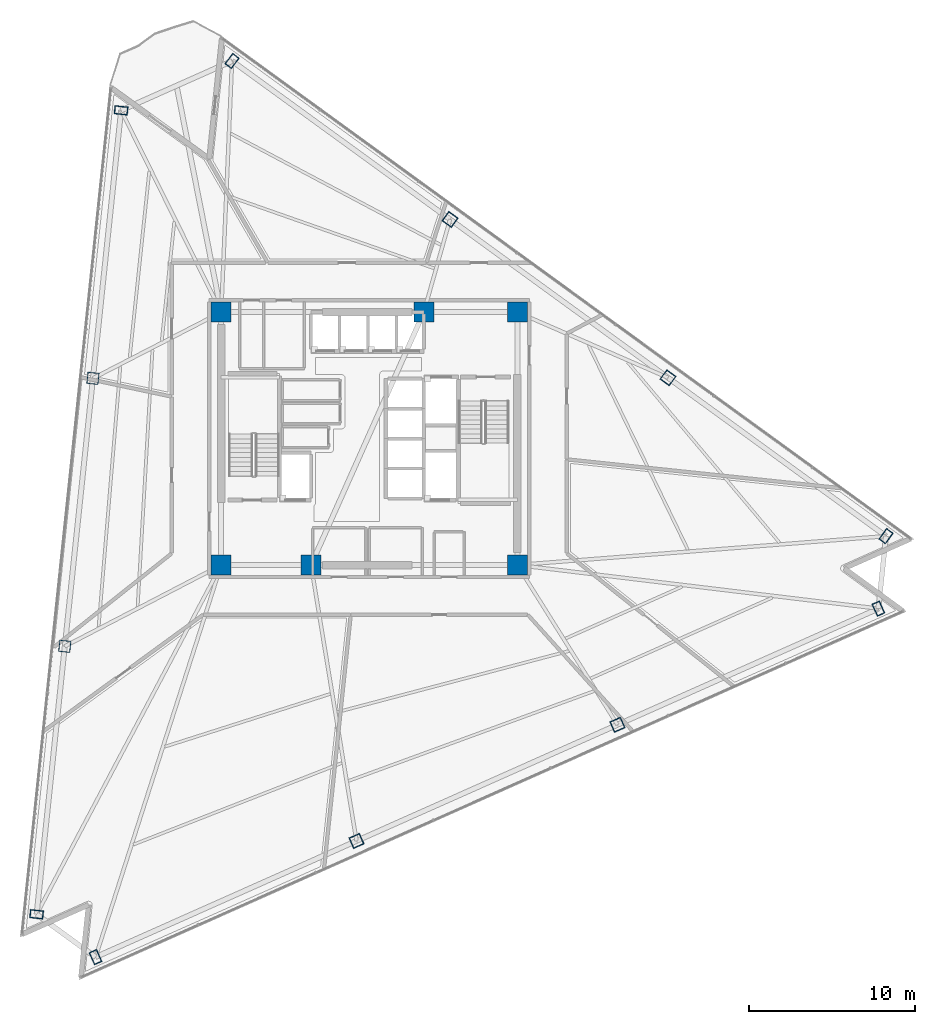
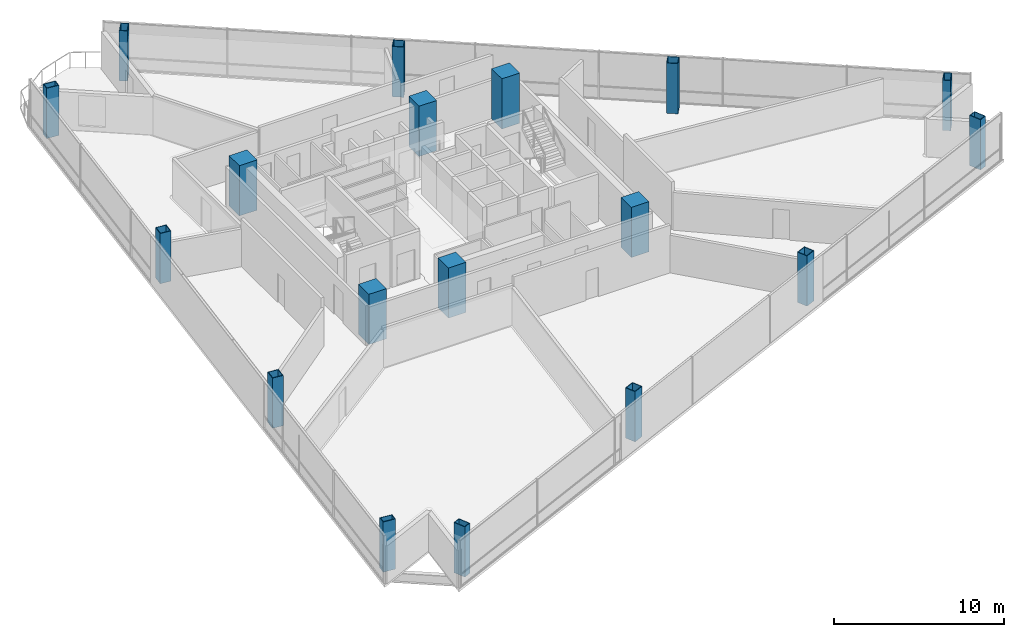
# One storey, part 1 of 19: 18 columns.
"""IFC4 building model written with IfcOpenShell, lengths in metres."""

from ifc_helpers import new_model, si_unit, direction, frame, origin, origin_2d, place, context, subcontext, project, spatial, rectangle, hollow_rectangle, extrude, material, material_profile, profile_set, type_object, element, save


model = new_model("IFC4")

# Units and contexts
model_context = context("Model", 3, precision=1e-05, world=origin(), true_north=direction((0.0, 1.0)))
body_context = subcontext(model_context, "Body", "Model", "MODEL_VIEW")
ifc_project = project(units=[si_unit("LENGTHUNIT", "METRE"), si_unit("AREAUNIT", "SQUARE_METRE"), si_unit("VOLUMEUNIT", "CUBIC_METRE"), si_unit("PLANEANGLEUNIT", "RADIAN"), si_unit("MASSUNIT", "GRAM", prefix="KILO")], contexts=[model_context])

# Site, building, storey
site_placement = place(None, origin())
site = spatial("IfcSite", under=ifc_project, at=site_placement, CompositionType="ELEMENT")
building_placement = place(site_placement, origin())
building = spatial("IfcBuilding", under=site, at=building_placement, Name="Tharavind Bronze Gate", CompositionType="ELEMENT")
storey_placement = place(building_placement, frame((0.0, 0.0, 126.85009765625)))
storey = spatial("IfcBuildingStorey", under=building, at=storey_placement, Name="L32", CompositionType="ELEMENT", Elevation=126.85009765625)

# Columns
ifc_material_1 = material(Name="Steel S460", Category="steel")
ifc_material_profile_1 = material_profile(ifc_material_1, hollow_rectangle(XDim=0.5, YDim=0.800048828125, WallThickness=0.0400390625, at=origin_2d()), Name="RHS800X500X40")
ifc_profile_set_1 = profile_set([ifc_material_profile_1], Name="Steel S460")
column_type_1 = type_object("IfcColumnType", Name="CORNER NOTCH COLUMN RHS800X500", PredefinedType="COLUMN", material=ifc_profile_set_1)
for number, where, z_axis, x_axis, name in (
    (1, (-14.91748046875, 19.7314453125, 0.0), (0.0, 0.0, 1.0), (0.104530199036, 0.99452171293, 0.0), "L32 perimeter column S1C1"),
    (2, (-19.9970703125, -28.597900390625, 0.0), (0.0, 0.0, 1.0), (0.104530199036, 0.99452171293, 0.0), "L32 perimeter column S1C4"),
    (3, (-16.45361328125, -31.17236328125, 0.0), (0.0, 0.0, 1.0), (0.913545457643, 0.406736643076, 0.0), "L32 perimeter column S2C1"),
    (4, (30.60791015625, -10.218994140625, 0.0), (0.0, 0.0, 1.0), (0.913545457643, 0.406736643076, 0.0), "L32 perimeter column S2C4"),
    (5, (31.06591796875, -5.863037109375, 0.0), (0.0, 0.0, 1.0), (-0.809016994375, 0.587785252292, 0.0), "L32 perimeter column S3C1"),
    (6, (-8.24853515625, 22.70068359375, 0.0), (0.0, 0.0, 1.0), (-0.809016994375, 0.587785252292, 0.0), "L32 perimeter column S3C4"),
):
    element("IfcColumn", number, at=place(storey_placement, frame(where, z_axis=z_axis, x_axis=x_axis)), inside=storey, type_object=column_type_1, Name=name, PredefinedType="COLUMN", context=body_context, shape_type="SweptSolid", body=[
        extrude(hollow_rectangle(XDim=0.5, YDim=0.800048828125, WallThickness=0.0400390625, at=origin_2d()), origin(), (0.0, 0.0, 1.0), 3.599853515625),
    ])
ifc_material_2 = material(Name="Concrete C60/75", Category="concrete")
ifc_material_profile_2 = material_profile(ifc_material_2, rectangle(XDim=1.199951171875, YDim=1.199951171875, at=origin_2d()), Name="RCCOL1200")
ifc_profile_set_2 = profile_set([ifc_material_profile_2], Name="Concrete C60/75")
column_type_2 = type_object("IfcColumnType", Name="MEGA CORE COLUMN 1200", PredefinedType="COLUMN", material=ifc_profile_set_2)
for number, where, z_axis, x_axis, name in (
    (7, (-8.89990234375, -7.60009765625, 0.0), (0.0, 0.0, 1.0), (1.0, 0.0, 0.0), "L32 core mega column MC1"),
    (8, (-3.5, -7.60009765625, 0.0), (0.0, 0.0, 1.0), (1.0, 0.0, 0.0), "L32 core mega column MC2"),
    (9, (8.89990234375, -7.60009765625, 0.0), (0.0, 0.0, 1.0), (1.0, 0.0, 0.0), "L32 core mega column MC3"),
    (10, (8.89990234375, 7.60009765625, 0.0), (0.0, 0.0, 1.0), (1.0, 0.0, 0.0), "L32 core mega column MC4"),
    (11, (3.280029296875, 7.60009765625, 0.0), (0.0, 0.0, 1.0), (1.0, 0.0, 0.0), "L32 core mega column MC5"),
    (12, (-8.89990234375, 7.60009765625, 0.0), (0.0, 0.0, 1.0), (1.0, 0.0, 0.0), "L32 core mega column MC6"),
):
    element("IfcColumn", number, at=place(storey_placement, frame(where, z_axis=z_axis, x_axis=x_axis)), inside=storey, type_object=column_type_2, Name=name, PredefinedType="COLUMN", context=body_context, shape_type="SweptSolid", body=[
        extrude(rectangle(XDim=1.199951171875, YDim=1.199951171875, at=origin_2d()), origin(), (0.0, 0.0, 1.0), 3.599853515625),
    ])
ifc_material_profile_3 = material_profile(ifc_material_1, hollow_rectangle(XDim=0.699951171875, YDim=0.699951171875, WallThickness=0.0400390625, at=origin_2d()), Name="SHS700X40")
ifc_profile_set_3 = profile_set([ifc_material_profile_3], Name="Steel S460")
column_type_3 = type_object("IfcColumnType", Name="PERIMETER BOX COLUMN SHS700", PredefinedType="COLUMN", material=ifc_profile_set_3)
for number, where, z_axis, x_axis, name in (
    (13, (-16.610595703125, 3.62158203125, 0.0), (0.0, 0.0, 1.0), (0.104530199036, 0.99452171293, 0.0), "L32 perimeter column S1C2"),
    (14, (-18.303955078125, -12.488037109375, 0.0), (0.0, 0.0, 1.0), (0.104530199036, 0.99452171293, 0.0), "L32 perimeter column S1C3"),
    (15, (-0.766357421875, -24.18798828125, 0.0), (0.0, 0.0, 1.0), (0.913545457643, 0.406736643076, 0.0), "L32 perimeter column S2C2"),
    (16, (14.9208984375, -17.20361328125, 0.0), (0.0, 0.0, 1.0), (0.913545457643, 0.406736643076, 0.0), "L32 perimeter column S2C3"),
    (17, (17.961181640625, 3.658203125, 0.0), (0.0, 0.0, 1.0), (-0.809016994375, 0.587785252292, 0.0), "L32 perimeter column S3C2"),
    (18, (4.856201171875, 13.179443359375, 0.0), (0.0, 0.0, 1.0), (-0.809016994375, 0.587785252292, 0.0), "L32 perimeter column S3C3"),
):
    element("IfcColumn", number, at=place(storey_placement, frame(where, z_axis=z_axis, x_axis=x_axis)), inside=storey, type_object=column_type_3, Name=name, PredefinedType="COLUMN", context=body_context, shape_type="SweptSolid", body=[
        extrude(hollow_rectangle(XDim=0.699951171875, YDim=0.699951171875, WallThickness=0.0400390625, at=origin_2d()), origin(), (0.0, 0.0, 1.0), 3.599853515625),
    ])

save(model, "model.ifc")
